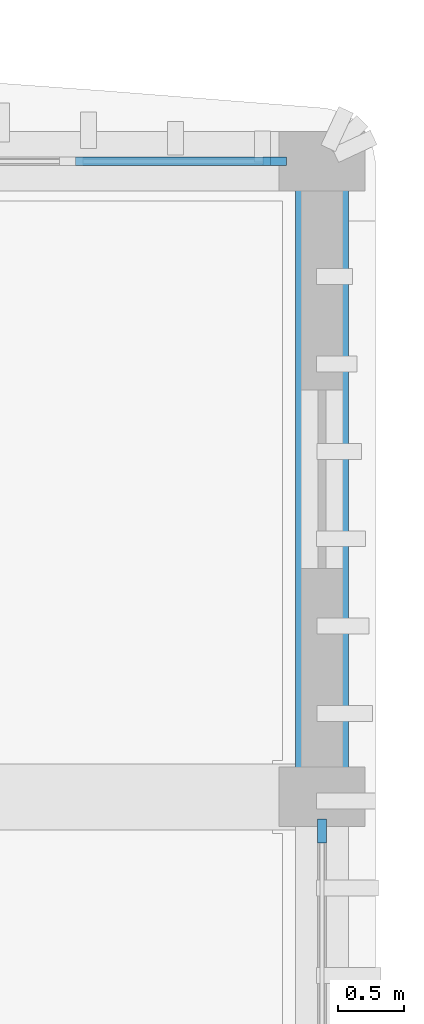
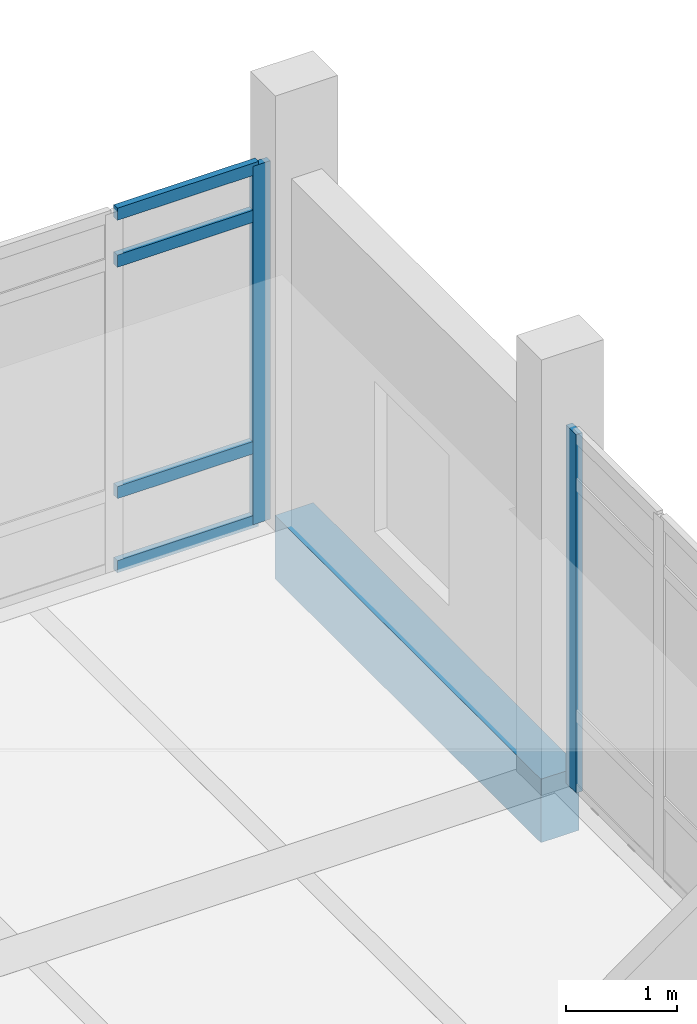
# One storey, part 7 of 37: 6 members, 1 beam, 2 elements without a shape of their own.
"""IFC4 building model written with IfcOpenShell, lengths in metres."""

from ifc_helpers import new_model, si_unit, direction, frame, origin, origin_2d, place, context, subcontext, project, spatial, rectangle, extrude, material, material_profile, profile_set, type_object, element, aggregate, save


model = new_model("IFC4")

# Units and contexts
model_context = context("Model", 3, precision=1e-05, world=origin(), true_north=direction((0.0, 1.0)))
body_context = subcontext(model_context, "Body", "Model", "MODEL_VIEW")
ifc_project = project(units=[si_unit("LENGTHUNIT", "METRE"), si_unit("AREAUNIT", "SQUARE_METRE"), si_unit("VOLUMEUNIT", "CUBIC_METRE"), si_unit("PLANEANGLEUNIT", "RADIAN"), si_unit("MASSUNIT", "GRAM", prefix="KILO")], contexts=[model_context])

# Site, building, storey
site_placement = place(None, origin())
site = spatial("IfcSite", under=ifc_project, at=site_placement, CompositionType="ELEMENT")
building_placement = place(site_placement, origin())
building = spatial("IfcBuilding", under=site, at=building_placement, Name="Dornvale Research Institute", CompositionType="ELEMENT")
storey_placement = place(building_placement, frame((0.0, 0.0, 29.39990234375)))
storey = spatial("IfcBuildingStorey", under=building, at=storey_placement, Name="L06", CompositionType="ELEMENT", Elevation=29.39990234375)

# Curtain wall, member
ifc_material_1 = material(Name="Low-E Argon Double Insulating Glazing Unit", Category="glass")
curtain_wall_type_1 = type_object("IfcCurtainWallType", Name="UnitisedCurtainWall_V5_7850x3950", PredefinedType="USERDEFINED", material=ifc_material_1)
curtain_wall_1_placement = place(storey_placement, origin())
curtain_wall_1 = element("IfcCurtainWall", 1, at=curtain_wall_1_placement, inside=storey, type_object=curtain_wall_type_1, Name="L06 V5 unitised curtain wall CW-31 #175", ObjectType="UNITISED CURTAIN WALL", PredefinedType="USERDEFINED")
ifc_material_2 = material(Name="Anodized Aluminum AA 6063-T6 Thermally Broken Frame", Category="aluminium")
ifc_material_profile_1 = material_profile(ifc_material_2, rectangle(XDim=0.06494140625, YDim=0.179931640625, at=origin_2d()), Name="ALU MULLION 65x180")
ifc_profile_set_1 = profile_set([ifc_material_profile_1], Name="Anodized Aluminum AA 6063-T6 Thermally Broken Frame")
member_type_1 = type_object("IfcMemberType", Name="Mullion_CW_65x180", PredefinedType="MULLION", material=ifc_profile_set_1)
member_1_placement = place(storey_placement, frame((41.04248046875, 122.10009765625, 0.0), z_axis=(0.0, 0.0, 1.0), x_axis=(0.0, 1.0, 0.0)))
member_1 = element("IfcMember", 2, at=member_1_placement, type_object=member_type_1, Name="CW-31 mullion 6", PredefinedType="MULLION", context=body_context, shape_type="SweptSolid", body=[
    extrude(rectangle(XDim=0.06494140625, YDim=0.179931640625, at=origin_2d()), origin(), (0.0, 0.0, 1.0), 3.9501953125),
])

ifc_material_3 = material(Name="Low-E Argon Double Insulating Glazing Unit", Category="glass")
curtain_wall_type_2 = type_object("IfcCurtainWallType", Name="UnitisedCurtainWall_V5_6450x3950", PredefinedType="USERDEFINED", material=ifc_material_3)
curtain_wall_2_placement = place(storey_placement, origin())
curtain_wall_2 = element("IfcCurtainWall", 3, at=curtain_wall_2_placement, inside=storey, type_object=curtain_wall_type_2, Name="L06 V5 unitised curtain wall CW-32 #176", ObjectType="UNITISED CURTAIN WALL", PredefinedType="USERDEFINED")
member_2_placement = place(storey_placement, frame((41.39990234375, 117.04248046875, 0.0), z_axis=(0.0, 0.0, 1.0), x_axis=(1.0, 0.0, 0.0)))
member_2 = element("IfcMember", 4, at=member_2_placement, type_object=member_type_1, Name="CW-32 mullion 1", PredefinedType="MULLION", context=body_context, shape_type="SweptSolid", body=[
    extrude(rectangle(XDim=0.06494140625, YDim=0.179931640625, at=origin_2d()), origin(), (0.0, 0.0, 1.0), 3.9501953125),
])
aggregate(curtain_wall_2, [member_2])

# Beam
ifc_material_4 = material(Name="Concrete f'c 45 MPa (C35/45)", Category="concrete")
ifc_material_profile_2 = material_profile(ifc_material_4, rectangle(XDim=0.39990234375, YDim=0.699951171875, at=origin_2d()), Name="RC 400x700")
ifc_profile_set_2 = profile_set([ifc_material_profile_2], Name="Concrete f'c 45 MPa (C35/45)")
beam_type = type_object("IfcBeamType", Name="Spandrel_RC400x700_Ext", PredefinedType="SPANDREL", material=ifc_profile_set_2)
beam_placement = place(storey_placement, frame((41.39990234375, 117.300048828125, -0.349853515625), z_axis=(0.0, 1.0, 0.0), x_axis=(-1.0, 0.0, 0.0)))
element("IfcBeam", 5, at=beam_placement, inside=storey, type_object=beam_type, Name="L06 perimeter spandrel #1497", PredefinedType="SPANDREL", context=body_context, shape_type="SweptSolid", body=[
    extrude(rectangle(XDim=0.39990234375, YDim=0.699951171875, at=origin_2d()), origin(), (0.0, 0.0, 1.0), 4.800048828125),
])

# Member
ifc_material_5 = material(Name="Anodized Aluminum AA 6063-T6 Thermally Broken Frame", Category="aluminium")
ifc_material_profile_3 = material_profile(ifc_material_5, rectangle(XDim=0.06494140625, YDim=0.135009765625, at=origin_2d()), Name="ALU TRANSOM 65x135")
ifc_profile_set_3 = profile_set([ifc_material_profile_3], Name="Anodized Aluminum AA 6063-T6 Thermally Broken Frame")
member_type_2 = type_object("IfcMemberType", Name="Transom_CW_65x135", PredefinedType="USERDEFINED", material=ifc_profile_set_3)
member_3_placement = place(storey_placement, frame((39.53759765625, 122.10009765625, 0.03271484375), z_axis=(1.0, 0.0, 0.0), x_axis=(0.0, 1.0, 0.0)))
member_3 = element("IfcMember", 6, at=member_3_placement, type_object=member_type_2, Name="CW-31 transom 5.1", ObjectType="TRANSOM", PredefinedType="USERDEFINED", context=body_context, shape_type="SweptSolid", body=[
    extrude(rectangle(XDim=0.06494140625, YDim=0.135009765625, at=origin_2d()), origin(), (0.0, 0.0, 1.0), 1.472412109375),
])

member_4_placement = place(storey_placement, frame((39.53759765625, 122.10009765625, 0.85009765625), z_axis=(1.0, 0.0, 0.0), x_axis=(0.0, 1.0, 0.0)))
member_4 = element("IfcMember", 7, at=member_4_placement, type_object=member_type_2, Name="CW-31 transom 5.2", ObjectType="TRANSOM", PredefinedType="USERDEFINED", context=body_context, shape_type="SweptSolid", body=[
    extrude(rectangle(XDim=0.06494140625, YDim=0.135009765625, at=origin_2d()), origin(), (0.0, 0.0, 1.0), 1.472412109375),
])

member_5_placement = place(storey_placement, frame((39.53759765625, 122.10009765625, 3.400146484375), z_axis=(1.0, 0.0, 0.0), x_axis=(0.0, 1.0, 0.0)))
member_5 = element("IfcMember", 8, at=member_5_placement, type_object=member_type_2, Name="CW-31 transom 5.3", ObjectType="TRANSOM", PredefinedType="USERDEFINED", context=body_context, shape_type="SweptSolid", body=[
    extrude(rectangle(XDim=0.06494140625, YDim=0.135009765625, at=origin_2d()), origin(), (0.0, 0.0, 1.0), 1.472412109375),
])

member_6_placement = place(storey_placement, frame((39.53759765625, 122.10009765625, 3.91748046875), z_axis=(1.0, 0.0, 0.0), x_axis=(0.0, 1.0, 0.0)))
member_6 = element("IfcMember", 9, at=member_6_placement, type_object=member_type_2, Name="CW-31 transom 5.4", ObjectType="TRANSOM", PredefinedType="USERDEFINED", context=body_context, shape_type="SweptSolid", body=[
    extrude(rectangle(XDim=0.06494140625, YDim=0.135009765625, at=origin_2d()), origin(), (0.0, 0.0, 1.0), 1.472412109375),
])

aggregate(curtain_wall_1, [member_1, member_3, member_4, member_5, member_6])

save(model, "model.ifc")
